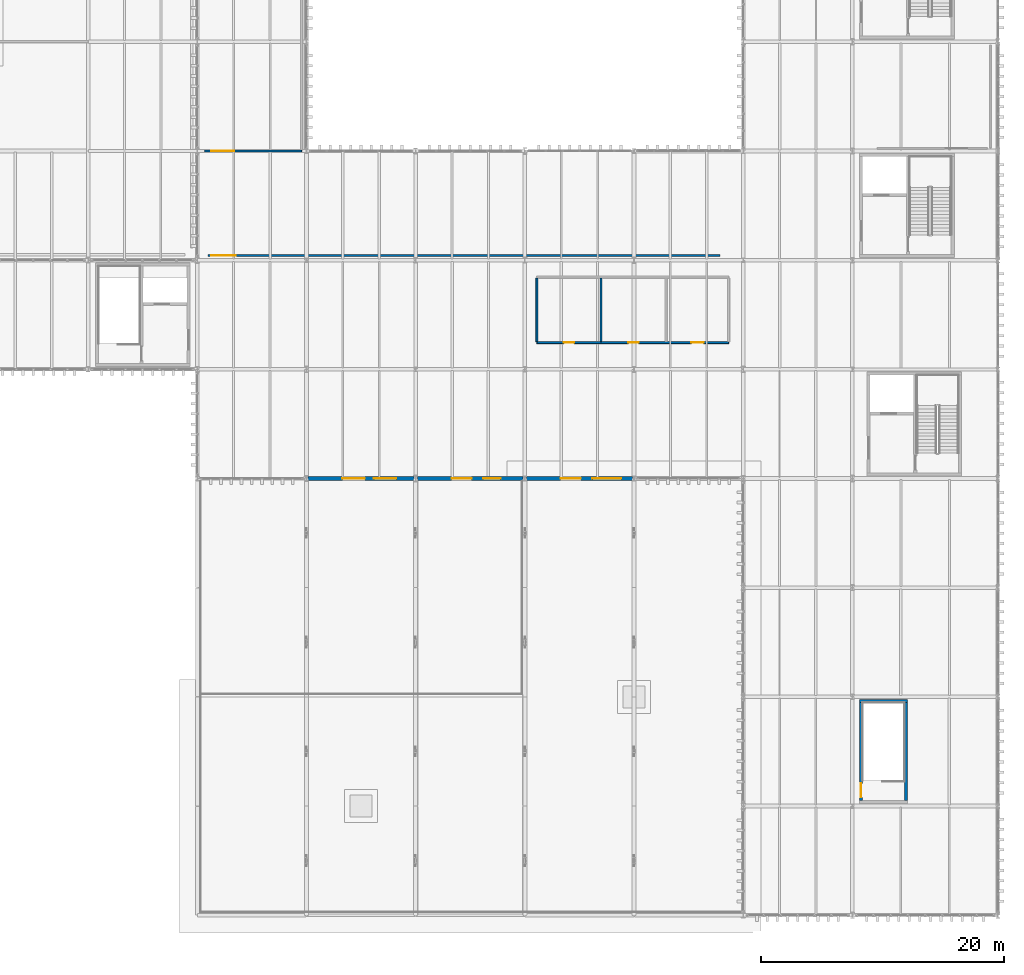
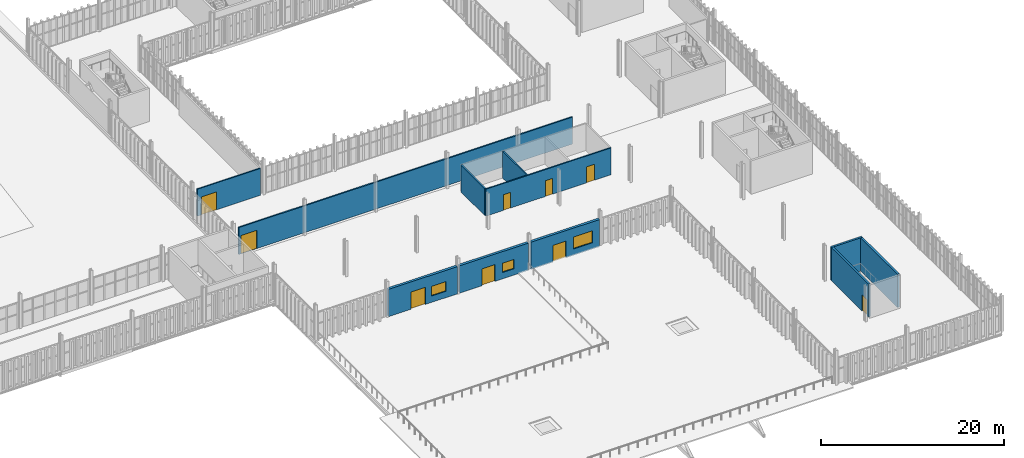
# One storey, part 180 of 196: 11 walls, 9 doors, 3 windows, 12 openings.
"""IFC4 building model written with IfcOpenShell, lengths in metres."""

from ifc_helpers import new_model, si_unit, direction, frame, frame_2d, origin, place, context, subcontext, project, spatial, rectangle, extrude, material, layer, layer_set, type_object, element, fill, save


model = new_model("IFC4")

# Units and contexts
model_context = context("Model", 3, precision=1e-05, world=origin(), true_north=direction((0.0, 1.0)))
body_context = subcontext(model_context, "Body", "Model", "MODEL_VIEW")
ifc_project = project(units=[si_unit("LENGTHUNIT", "METRE"), si_unit("AREAUNIT", "SQUARE_METRE"), si_unit("VOLUMEUNIT", "CUBIC_METRE"), si_unit("PLANEANGLEUNIT", "RADIAN"), si_unit("MASSUNIT", "GRAM", prefix="KILO")], contexts=[model_context])

# Site, building, storey
site_placement = place(None, origin())
site = spatial("IfcSite", under=ifc_project, at=site_placement, CompositionType="ELEMENT")
building_placement = place(site_placement, origin())
building = spatial("IfcBuilding", under=site, at=building_placement, Name="Barlavento Convention Centre", CompositionType="ELEMENT")
storey_placement = place(building_placement, frame((0.0, 0.0, 18.0)))
storey = spatial("IfcBuildingStorey", under=building, at=storey_placement, Name="L03", CompositionType="ELEMENT", Elevation=18.0)

# Wall, openings, door, window
ifc_material_1 = material(Name="Macau dark grey granite cladding on Concrete C40/50", Category="masonry")
ifc_layer_1 = layer(ifc_material_1, 0.320068359375)
ifc_layer_set_1 = layer_set([ifc_layer_1], Name="ARC-WL-EXT-320")
wall_type_1 = type_object("IfcWallType", Name="ARC-WL-EXT-320", PredefinedType="SOLIDWALL", material=ifc_layer_set_1)
wall_1_placement = place(storey_placement, frame((135.14501953125, 36.0, 0.0), z_axis=(0.0, 0.0, 1.0), x_axis=(1.0, 0.0, 0.0)))
wall_1 = element("IfcWall", 1, at=wall_1_placement, inside=storey, type_object=wall_type_1, Name="L03 exterior wall EW01", PredefinedType="SOLIDWALL", context=body_context, shape_type="SweptSolid", body=[
    extrude(rectangle(XDim=8.7099609375, YDim=0.320068359375, at=frame_2d((4.35498046875, 0.0))), origin(), (0.0, 0.0, 1.0), 3.64990234375),
])
opening_1_placement = place(wall_1_placement, frame((2.81494140625, 0.0, 0.0)))
opening_1 = element("IfcOpeningElement", 2, at=opening_1_placement, cuts=wall_1, Name="Opening TD-301", PredefinedType="OPENING", context=body_context, shape_type="SweptSolid", body=[
    extrude(rectangle(XDim=1.85009765625, YDim=2.300048828125, at=frame_2d((0.925048828125, 1.14990234375))), frame((0.0, 0.169921875, 0.0), z_axis=(0.0, -1.0, 0.0), x_axis=(1.0, 0.0, 0.0)), (0.0, 0.0, 1.0), 0.340087890625),
])
opening_2_placement = place(wall_1_placement, frame((5.4150390625, 0.0, 0.85009765625)))
opening_2 = element("IfcOpeningElement", 3, at=opening_2_placement, cuts=wall_1, Name="Opening WN24", PredefinedType="OPENING", context=body_context, shape_type="SweptSolid", body=[
    extrude(rectangle(XDim=1.85009765625, YDim=1.300048828125, at=frame_2d((0.925048828125, 0.64990234375))), frame((0.0, 0.169921875, 0.0), z_axis=(0.0, -1.0, 0.0), x_axis=(1.0, 0.0, 0.0)), (0.0, 0.0, 1.0), 0.340087890625),
])
ifc_material_2 = material(Name="Anodized aluminium and tempered glass", Category="aluminium")
door_type_1 = type_object("IfcDoorType", Name="ARC-DR-TERR-1850X2300", OperationType="DOUBLE_DOOR_SINGLE_SWING", PredefinedType="DOOR", material=ifc_material_2)
door_1_placement = place(opening_1_placement, origin())
door_1 = element("IfcDoor", 4, at=door_1_placement, inside=storey, type_object=door_type_1, Name="DR-EXT-L03-0059 L03 Courtyard Terrace access door TD-301", OperationType="DOUBLE_DOOR_SINGLE_SWING", OverallHeight=2.300048828125, OverallWidth=1.85009765625, PredefinedType="DOOR", context=body_context, shape_type="SweptSolid", body=[
    extrude(rectangle(XDim=1.85009765625, YDim=2.300048828125, at=frame_2d((0.925048828125, 1.14990234375))), frame((0.0, 0.02490234375, 0.0), z_axis=(0.0, -1.0, 0.0), x_axis=(1.0, 0.0, 0.0)), (0.0, 0.0, 1.0), 0.050048828125),
])
fill(opening_1, door_1)
ifc_material_3 = material(Name="Double-silver Low-E insulated glass", Category="glass")
window_type_1 = type_object("IfcWindowType", Name="ARC-WN-EXEC-1850X1300", PartitioningType="DOUBLE_PANEL_VERTICAL", PredefinedType="WINDOW", material=ifc_material_3)
window_1_placement = place(opening_2_placement, origin())
window_1 = element("IfcWindow", 5, at=window_1_placement, inside=storey, type_object=window_type_1, Name="L03 exterior Low-E window WN24", OverallHeight=1.300048828125, OverallWidth=1.85009765625, PartitioningType="SINGLE_PANEL", PredefinedType="WINDOW", context=body_context, shape_type="SweptSolid", body=[
    extrude(rectangle(XDim=1.85009765625, YDim=1.300048828125, at=frame_2d((0.925048828125, 0.64990234375))), frame((0.0, 0.030029296875, 0.0), z_axis=(0.0, -1.0, 0.0), x_axis=(1.0, 0.0, 0.0)), (0.0, 0.0, 1.0), 0.06005859375),
])
fill(opening_2, window_1)

wall_2_placement = place(storey_placement, frame((144.14501953125, 36.0, 0.0), z_axis=(0.0, 0.0, 1.0), x_axis=(1.0, 0.0, 0.0)))
wall_2 = element("IfcWall", 6, at=wall_2_placement, inside=storey, type_object=wall_type_1, Name="L03 exterior wall EW01", PredefinedType="SOLIDWALL", context=body_context, shape_type="SweptSolid", body=[
    extrude(rectangle(XDim=8.7099609375, YDim=0.320068359375, at=frame_2d((4.35498046875, 0.0))), origin(), (0.0, 0.0, 1.0), 3.64990234375),
])
opening_3_placement = place(wall_2_placement, frame((2.81494140625, 0.0, 0.0)))
opening_3 = element("IfcOpeningElement", 7, at=opening_3_placement, cuts=wall_2, Name="Opening TD-302", PredefinedType="OPENING", context=body_context, shape_type="SweptSolid", body=[
    extrude(rectangle(XDim=1.64990234375, YDim=2.25, at=frame_2d((0.824951171875, 1.125))), frame((0.0, 0.169921875, 0.0), z_axis=(0.0, -1.0, 0.0), x_axis=(1.0, 0.0, 0.0)), (0.0, 0.0, 1.0), 0.340087890625),
])
opening_4_placement = place(wall_2_placement, frame((5.4150390625, 0.0, 0.85009765625)))
opening_4 = element("IfcOpeningElement", 8, at=opening_4_placement, cuts=wall_2, Name="Opening WN25", PredefinedType="OPENING", context=body_context, shape_type="SweptSolid", body=[
    extrude(rectangle(XDim=1.449951171875, YDim=1.25, at=frame_2d((0.72509765625, 0.625))), frame((0.0, 0.169921875, 0.0), z_axis=(0.0, -1.0, 0.0), x_axis=(1.0, 0.0, 0.0)), (0.0, 0.0, 1.0), 0.340087890625),
])
door_type_2 = type_object("IfcDoorType", Name="ARC-DR-TERR-1650X2250", OperationType="DOUBLE_DOOR_SINGLE_SWING", PredefinedType="DOOR", material=ifc_material_2)
door_2_placement = place(opening_3_placement, origin())
door_2 = element("IfcDoor", 9, at=door_2_placement, inside=storey, type_object=door_type_2, Name="DR-EXT-L03-0060 L03 Courtyard Terrace access door TD-302", OperationType="DOUBLE_DOOR_SINGLE_SWING", OverallHeight=2.25, OverallWidth=1.64990234375, PredefinedType="DOOR", context=body_context, shape_type="SweptSolid", body=[
    extrude(rectangle(XDim=1.64990234375, YDim=2.25, at=frame_2d((0.824951171875, 1.125))), frame((0.0, 0.02490234375, 0.0), z_axis=(0.0, -1.0, 0.0), x_axis=(1.0, 0.0, 0.0)), (0.0, 0.0, 1.0), 0.050048828125),
])
fill(opening_3, door_2)
window_type_2 = type_object("IfcWindowType", Name="ARC-WN-EXEC-1450X1250", PartitioningType="SINGLE_PANEL", PredefinedType="WINDOW", material=ifc_material_3)
window_2_placement = place(opening_4_placement, origin())
window_2 = element("IfcWindow", 10, at=window_2_placement, inside=storey, type_object=window_type_2, Name="L03 exterior Low-E window WN25", OverallHeight=1.25, OverallWidth=1.449951171875, PartitioningType="SINGLE_PANEL", PredefinedType="WINDOW", context=body_context, shape_type="SweptSolid", body=[
    extrude(rectangle(XDim=1.449951171875, YDim=1.25, at=frame_2d((0.72509765625, 0.625))), frame((0.0, 0.030029296875, 0.0), z_axis=(0.0, -1.0, 0.0), x_axis=(1.0, 0.0, 0.0)), (0.0, 0.0, 1.0), 0.06005859375),
])
fill(opening_4, window_2)

wall_3_placement = place(storey_placement, frame((153.14501953125, 36.0, 0.0), z_axis=(0.0, 0.0, 1.0), x_axis=(1.0, 0.0, 0.0)))
wall_3 = element("IfcWall", 11, at=wall_3_placement, inside=storey, type_object=wall_type_1, Name="L03 exterior wall EW01", PredefinedType="SOLIDWALL", context=body_context, shape_type="SweptSolid", body=[
    extrude(rectangle(XDim=8.7099609375, YDim=0.320068359375, at=frame_2d((4.35498046875, 0.0))), origin(), (0.0, 0.0, 1.0), 3.64990234375),
])
opening_5_placement = place(wall_3_placement, frame((2.81494140625, 0.0, 0.0)))
opening_5 = element("IfcOpeningElement", 12, at=opening_5_placement, cuts=wall_3, Name="Opening TD-303", PredefinedType="OPENING", context=body_context, shape_type="SweptSolid", body=[
    extrude(rectangle(XDim=1.64990234375, YDim=2.25, at=frame_2d((0.824951171875, 1.125))), frame((0.0, 0.169921875, 0.0), z_axis=(0.0, -1.0, 0.0), x_axis=(1.0, 0.0, 0.0)), (0.0, 0.0, 1.0), 0.340087890625),
])
opening_6_placement = place(wall_3_placement, frame((5.4150390625, 0.0, 0.85009765625)))
opening_6 = element("IfcOpeningElement", 13, at=opening_6_placement, cuts=wall_3, Name="Opening WN18", PredefinedType="OPENING", context=body_context, shape_type="SweptSolid", body=[
    extrude(rectangle(XDim=2.39990234375, YDim=1.60009765625, at=frame_2d((1.199951171875, 0.800048828125))), frame((0.0, 0.169921875, 0.0), z_axis=(0.0, -1.0, 0.0), x_axis=(1.0, 0.0, 0.0)), (0.0, 0.0, 1.0), 0.340087890625),
])
door_3_placement = place(opening_5_placement, origin())
door_3 = element("IfcDoor", 14, at=door_3_placement, inside=storey, type_object=door_type_2, Name="DR-EXT-L03-0061 L03 South Roof Terrace access door TD-303", OperationType="DOUBLE_DOOR_SINGLE_SWING", OverallHeight=2.25, OverallWidth=1.64990234375, PredefinedType="DOOR", context=body_context, shape_type="SweptSolid", body=[
    extrude(rectangle(XDim=1.64990234375, YDim=2.25, at=frame_2d((0.824951171875, 1.125))), frame((0.0, 0.02490234375, 0.0), z_axis=(0.0, -1.0, 0.0), x_axis=(1.0, 0.0, 0.0)), (0.0, 0.0, 1.0), 0.050048828125),
])
fill(opening_5, door_3)
window_type_3 = type_object("IfcWindowType", Name="ARC-WN-CONF-2400X1600", PartitioningType="DOUBLE_PANEL_VERTICAL", PredefinedType="WINDOW", material=ifc_material_3)
window_3_placement = place(opening_6_placement, origin())
window_3 = element("IfcWindow", 15, at=window_3_placement, inside=storey, type_object=window_type_3, Name="L03 exterior Low-E window WN18", OverallHeight=1.60009765625, OverallWidth=2.39990234375, PartitioningType="SINGLE_PANEL", PredefinedType="WINDOW", context=body_context, shape_type="SweptSolid", body=[
    extrude(rectangle(XDim=2.39990234375, YDim=1.60009765625, at=frame_2d((1.199951171875, 0.800048828125))), frame((0.0, 0.030029296875, 0.0), z_axis=(0.0, -1.0, 0.0), x_axis=(1.0, 0.0, 0.0)), (0.0, 0.0, 1.0), 0.06005859375),
])
fill(opening_6, window_3)

# Wall, opening, door
ifc_material_4 = material(Name="Metal stud acoustic partition")
ifc_layer_2 = layer(ifc_material_4, 0.155029296875)
ifc_layer_set_2 = layer_set([ifc_layer_2], Name="ARC-WL-PART-155")
wall_type_2 = type_object("IfcWallType", Name="ARC-WL-PART-155", PredefinedType="PARTITIONING", material=ifc_layer_set_2)
wall_4_placement = place(storey_placement, frame((126.60009765625, 63.0, 0.0), z_axis=(0.0, 0.0, 1.0), x_axis=(1.0, 0.0, 0.0)))
wall_4 = element("IfcWall", 16, at=wall_4_placement, inside=storey, type_object=wall_type_2, Name="L03 interior wall PT-03", PredefinedType="PARTITIONING", context=body_context, shape_type="SweptSolid", body=[
    extrude(rectangle(XDim=8.0, YDim=0.155029296875, at=frame_2d((4.0, 0.0))), origin(), (0.0, 0.0, 1.0), 3.60009765625),
])
opening_7_placement = place(wall_4_placement, frame((0.550048828125, 0.0, 0.0)))
opening_7 = element("IfcOpeningElement", 17, at=opening_7_placement, cuts=wall_4, Name="Opening ID-02", PredefinedType="OPENING", context=body_context, shape_type="SweptSolid", body=[
    extrude(rectangle(XDim=1.89990234375, YDim=2.39990234375, at=frame_2d((0.949951171875, 1.199951171875))), frame((0.0, 0.08740234375, 0.0), z_axis=(0.0, -1.0, 0.0), x_axis=(1.0, 0.0, 0.0)), (0.0, 0.0, 1.0), 0.175048828125),
])
ifc_material_5 = material(Name="Timber veneer acoustic core", Category="wood")
door_type_3 = type_object("IfcDoorType", Name="ARC-DR-HALL-1900X2400", OperationType="DOUBLE_DOOR_SINGLE_SWING", PredefinedType="DOOR", material=ifc_material_5)
door_4_placement = place(opening_7_placement, origin())
door_4 = element("IfcDoor", 18, at=door_4_placement, inside=storey, type_object=door_type_3, Name="DR-INT-L03-0235 L03 interior door ID-02", OperationType="DOUBLE_DOOR_SINGLE_SWING", OverallHeight=2.39990234375, OverallWidth=1.89990234375, PredefinedType="DOOR", context=body_context, shape_type="SweptSolid", body=[
    extrude(rectangle(XDim=1.89990234375, YDim=2.39990234375, at=frame_2d((0.949951171875, 1.199951171875))), frame((0.0, 0.02490234375, 0.0), z_axis=(0.0, -1.0, 0.0), x_axis=(1.0, 0.0, 0.0)), (0.0, 0.0, 1.0), 0.050048828125),
])
fill(opening_7, door_4)

ifc_material_6 = material(Name="Fire-rated gypsum partition")
ifc_layer_3 = layer(ifc_material_6, 0.169921875)
ifc_layer_set_3 = layer_set([ifc_layer_3], Name="ARC-WL-PART-170")
wall_type_3 = type_object("IfcWallType", Name="ARC-WL-PART-170", PredefinedType="PARTITIONING", material=ifc_layer_set_3)
wall_5_placement = place(storey_placement, frame((126.89990234375, 54.39990234375, 0.0), z_axis=(0.0, 0.0, 1.0), x_axis=(1.0, 0.0, 0.0)))
wall_5 = element("IfcWall", 19, at=wall_5_placement, inside=storey, type_object=wall_type_3, Name="L03 interior wall PT-02", PredefinedType="PARTITIONING", context=body_context, shape_type="SweptSolid", body=[
    extrude(rectangle(XDim=42.2001953125, YDim=0.169921875, at=frame_2d((21.10009765625, 0.0))), origin(), (0.0, 0.0, 1.0), 3.60009765625),
])
opening_8_placement = place(wall_5_placement, frame((0.25, 0.0, 0.0)))
opening_8 = element("IfcOpeningElement", 20, at=opening_8_placement, cuts=wall_5, Name="Opening ID-01", PredefinedType="OPENING", context=body_context, shape_type="SweptSolid", body=[
    extrude(rectangle(XDim=2.0, YDim=2.449951171875, at=frame_2d((1.0, 1.22509765625))), frame((0.0, 0.094970703125, 0.0), z_axis=(0.0, -1.0, 0.0), x_axis=(1.0, 0.0, 0.0)), (0.0, 0.0, 1.0), 0.18994140625),
])
door_type_4 = type_object("IfcDoorType", Name="ARC-DR-HALL-2000X2450", OperationType="DOUBLE_DOOR_SINGLE_SWING", PredefinedType="DOOR", material=ifc_material_5)
door_5_placement = place(opening_8_placement, origin())
door_5 = element("IfcDoor", 21, at=door_5_placement, inside=storey, type_object=door_type_4, Name="DR-INT-L03-0234 L03 interior door ID-01", OperationType="DOUBLE_DOOR_SINGLE_SWING", OverallHeight=2.449951171875, OverallWidth=2.0, PredefinedType="DOOR", context=body_context, shape_type="SweptSolid", body=[
    extrude(rectangle(XDim=2.0, YDim=2.449951171875, at=frame_2d((1.0, 1.22509765625))), frame((0.0, 0.02490234375, 0.0), z_axis=(0.0, -1.0, 0.0), x_axis=(1.0, 0.0, 0.0)), (0.0, 0.0, 1.0), 0.050048828125),
])
fill(opening_8, door_5)

# Wall, openings, doors
ifc_material_7 = material(Name="Sanitary service chase plumbing wall")
ifc_layer_4 = layer(ifc_material_7, 0.159912109375)
ifc_layer_set_4 = layer_set([ifc_layer_4], Name="ARC-WL-PLMB-160")
wall_type_4 = type_object("IfcWallType", Name="ARC-WL-PLMB-160", PredefinedType="PLUMBINGWALL", material=ifc_layer_set_4)
wall_6_placement = place(storey_placement, frame((154.0, 47.199951171875, 0.0), z_axis=(0.0, 0.0, 1.0), x_axis=(1.0, 0.0, 0.0)))
wall_6 = element("IfcWall", 22, at=wall_6_placement, inside=storey, type_object=wall_type_4, Name="L03 interior wall PW-03", PredefinedType="PLUMBINGWALL", context=body_context, shape_type="SweptSolid", body=[
    extrude(rectangle(XDim=15.800048828125, YDim=0.159912109375, at=frame_2d((7.89990234375, 0.0))), origin(), (0.0, 0.0, 1.0), 3.60009765625),
])
opening_9_placement = place(wall_6_placement, frame((2.18994140625, 0.0, 0.0)))
opening_9 = element("IfcOpeningElement", 23, at=opening_9_placement, cuts=wall_6, Name="Opening ID-10", PredefinedType="OPENING", context=body_context, shape_type="SweptSolid", body=[
    extrude(rectangle(XDim=0.89990234375, YDim=2.10009765625, at=frame_2d((0.449951171875, 1.050048828125))), frame((0.0, 0.08984375, 0.0), z_axis=(0.0, -1.0, 0.0), x_axis=(1.0, 0.0, 0.0)), (0.0, 0.0, 1.0), 0.179931640625),
])
opening_10_placement = place(wall_6_placement, frame((7.510009765625, 0.0, 0.0)))
opening_10 = element("IfcOpeningElement", 24, at=opening_10_placement, cuts=wall_6, Name="Opening ID-10", PredefinedType="OPENING", context=body_context, shape_type="SweptSolid", body=[
    extrude(rectangle(XDim=0.89990234375, YDim=2.10009765625, at=frame_2d((0.449951171875, 1.050048828125))), frame((0.0, 0.08984375, 0.0), z_axis=(0.0, -1.0, 0.0), x_axis=(1.0, 0.0, 0.0)), (0.0, 0.0, 1.0), 0.179931640625),
])
opening_11_placement = place(wall_6_placement, frame((12.699951171875, 0.0, 0.0)))
opening_11 = element("IfcOpeningElement", 25, at=opening_11_placement, cuts=wall_6, Name="Opening ID-11", PredefinedType="OPENING", context=body_context, shape_type="SweptSolid", body=[
    extrude(rectangle(XDim=1.0400390625, YDim=2.14990234375, at=frame_2d((0.52001953125, 1.074951171875))), frame((0.0, 0.08984375, 0.0), z_axis=(0.0, -1.0, 0.0), x_axis=(1.0, 0.0, 0.0)), (0.0, 0.0, 1.0), 0.179931640625),
])
door_type_5 = type_object("IfcDoorType", Name="ARC-DR-AWC-1040X2150", OperationType="NOTDEFINED", PredefinedType="DOOR", material=ifc_material_5)
door_6_placement = place(opening_11_placement, origin())
door_6 = element("IfcDoor", 26, at=door_6_placement, inside=storey, type_object=door_type_5, Name="DR-INT-L03-0198 L03 Accessible Conference WC entry door", OperationType="SINGLE_SWING_RIGHT", OverallHeight=2.14990234375, OverallWidth=1.0400390625, PredefinedType="DOOR", context=body_context, shape_type="SweptSolid", body=[
    extrude(rectangle(XDim=1.0400390625, YDim=2.14990234375, at=frame_2d((0.52001953125, 1.074951171875))), frame((0.0, 0.02490234375, 0.0), z_axis=(0.0, -1.0, 0.0), x_axis=(1.0, 0.0, 0.0)), (0.0, 0.0, 1.0), 0.050048828125),
])
fill(opening_11, door_6)
door_type_6 = type_object("IfcDoorType", Name="ARC-DR-WC-900X2100", OperationType="NOTDEFINED", PredefinedType="DOOR", material=ifc_material_5)
door_7_placement = place(opening_9_placement, origin())
door_7 = element("IfcDoor", 27, at=door_7_placement, inside=storey, type_object=door_type_6, Name="DR-INT-L03-0196 L03 Male Conference WC entry door", OperationType="SINGLE_SWING_RIGHT", OverallHeight=2.10009765625, OverallWidth=0.89990234375, PredefinedType="DOOR", context=body_context, shape_type="SweptSolid", body=[
    extrude(rectangle(XDim=0.89990234375, YDim=2.10009765625, at=frame_2d((0.449951171875, 1.050048828125))), frame((0.0, 0.02490234375, 0.0), z_axis=(0.0, -1.0, 0.0), x_axis=(1.0, 0.0, 0.0)), (0.0, 0.0, 1.0), 0.050048828125),
])
fill(opening_9, door_7)
door_8_placement = place(opening_10_placement, origin())
door_8 = element("IfcDoor", 28, at=door_8_placement, inside=storey, type_object=door_type_6, Name="DR-INT-L03-0197 L03 Female Conference WC entry door", OperationType="SINGLE_SWING_LEFT", OverallHeight=2.10009765625, OverallWidth=0.89990234375, PredefinedType="DOOR", context=body_context, shape_type="SweptSolid", body=[
    extrude(rectangle(XDim=0.89990234375, YDim=2.10009765625, at=frame_2d((0.449951171875, 1.050048828125))), frame((0.0, 0.02490234375, 0.0), z_axis=(0.0, -1.0, 0.0), x_axis=(1.0, 0.0, 0.0)), (0.0, 0.0, 1.0), 0.050048828125),
])
fill(opening_10, door_8)

# Walls
for number, where, z_axis, x_axis, name in (
    (29, (154.0, 47.2880859375, 0.0), (0.0, 0.0, 1.0), (0.0, 1.0, 0.0), "L03 interior wall PW-03"),
    (30, (159.280029296875, 47.2880859375, 0.0), (0.0, 0.0, 1.0), (0.0, 1.0, 0.0), "L03 interior wall PW-03"),
):
    element("IfcWall", number, at=place(storey_placement, frame(where, z_axis=z_axis, x_axis=x_axis)), inside=storey, type_object=wall_type_4, Name=name, PredefinedType="PLUMBINGWALL", context=body_context, shape_type="SweptSolid", body=[
        extrude(rectangle(XDim=5.223876953125, YDim=0.159912109375, at=frame_2d((2.61181640625, 0.0))), origin(), (0.0, 0.0, 1.0), 3.60009765625),
    ])

# Wall, opening, door
ifc_material_8 = material(Name="Concrete C50/60", Category="concrete")
ifc_layer_5 = layer(ifc_material_8, 0.25)
ifc_layer_set_5 = layer_set([ifc_layer_5], Name="STR-WL-CORE-250")
wall_type_5 = type_object("IfcWallType", Name="STR-WL-CORE-250", PredefinedType="SHEAR", material=ifc_layer_set_5)
wall_7_placement = place(storey_placement, frame((180.72509765625, 9.469970703125, 0.0), z_axis=(0.0, 0.0, 1.0), x_axis=(0.0, 1.0, 0.0)))
wall_7 = element("IfcWall", 31, at=wall_7_placement, inside=storey, type_object=wall_type_5, Name="L03 interior wall CW-02", PredefinedType="SHEAR", context=body_context, shape_type="SweptSolid", body=[
    extrude(rectangle(XDim=8.06005859375, YDim=0.25, at=frame_2d((4.030029296875, 0.0))), origin(), (0.0, 0.0, 1.0), 4.43994140625),
])
opening_12_placement = place(wall_7_placement, frame((0.25, 0.0, 0.0)))
opening_12 = element("IfcOpeningElement", 32, at=opening_12_placement, cuts=wall_7, Name="Opening FD-03", PredefinedType="OPENING", context=body_context, shape_type="SweptSolid", body=[
    extrude(rectangle(XDim=1.14990234375, YDim=2.14990234375, at=frame_2d((0.574951171875, 1.074951171875))), frame((0.0, 0.135009765625, 0.0), z_axis=(0.0, -1.0, 0.0), x_axis=(1.0, 0.0, 0.0)), (0.0, 0.0, 1.0), 0.27001953125),
])
ifc_material_9 = material(Name="Painted galvanized steel", Category="steel")
door_type_7 = type_object("IfcDoorType", Name="ARC-DR-FIRE-1150X2150", OperationType="NOTDEFINED", PredefinedType="DOOR", material=ifc_material_9)
door_9_placement = place(opening_12_placement, origin())
door_9 = element("IfcDoor", 33, at=door_9_placement, inside=storey, type_object=door_type_7, Name="DR-INT-L03-0183 L03 ST14 stair fire door FD-03", OperationType="SINGLE_SWING_LEFT", OverallHeight=2.14990234375, OverallWidth=1.14990234375, PredefinedType="DOOR", context=body_context, shape_type="SweptSolid", body=[
    extrude(rectangle(XDim=1.14990234375, YDim=2.14990234375, at=frame_2d((0.574951171875, 1.074951171875))), frame((0.0, 0.02490234375, 0.0), z_axis=(0.0, -1.0, 0.0), x_axis=(1.0, 0.0, 0.0)), (0.0, 0.0, 1.0), 0.050048828125),
])
fill(opening_12, door_9)

# Walls
wall_8_placement = place(storey_placement, frame((184.4150390625, 9.469970703125, 0.0), z_axis=(0.0, 0.0, 1.0), x_axis=(0.0, 1.0, 0.0)))
element("IfcWall", 34, at=wall_8_placement, inside=storey, type_object=wall_type_5, Name="L03 interior wall CW-02", PredefinedType="SHEAR", context=body_context, shape_type="SweptSolid", body=[
    extrude(rectangle(XDim=8.06005859375, YDim=0.25, at=frame_2d((4.030029296875, 0.0))), origin(), (0.0, 0.0, 1.0), 4.43994140625),
])
wall_9_placement = place(storey_placement, frame((180.60009765625, 17.655029296875, 0.0), z_axis=(0.0, 0.0, 1.0), x_axis=(1.0, 0.0, 0.0)))
element("IfcWall", 35, at=wall_9_placement, inside=storey, type_object=wall_type_5, Name="L03 interior wall CW-02", PredefinedType="SHEAR", context=body_context, shape_type="SweptSolid", body=[
    extrude(rectangle(XDim=3.93994140625, YDim=0.25, at=frame_2d((1.969970703125, 0.0))), origin(), (0.0, 0.0, 1.0), 4.43994140625),
])

save(model, "model.ifc")
